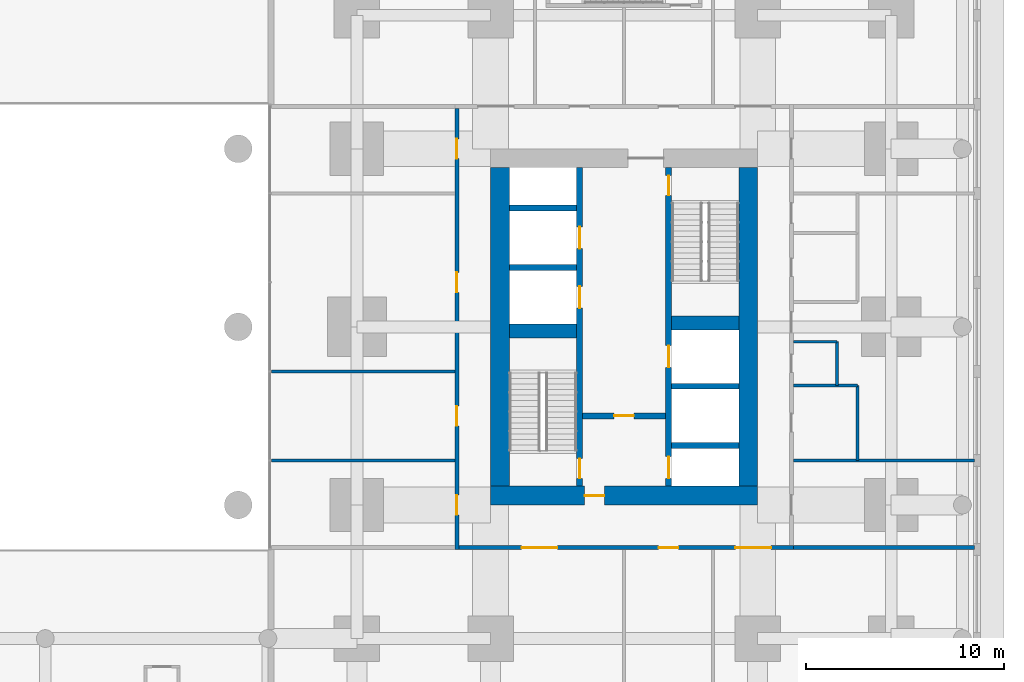
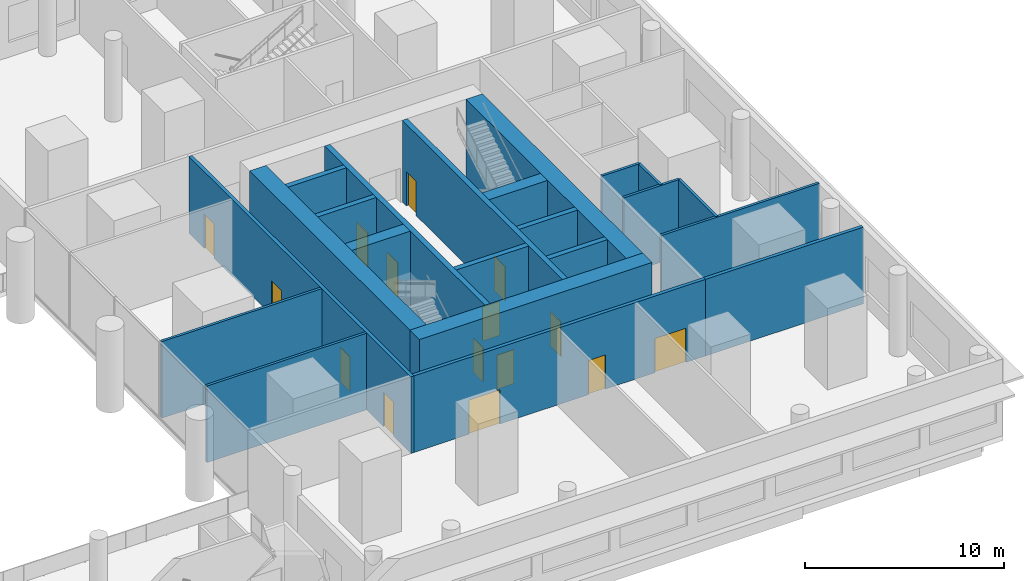
# One storey, part 15 of 22: 22 walls, 15 doors, 15 openings.
"""IFC4 building model written with IfcOpenShell, lengths in metres."""

from ifc_helpers import new_model, si_unit, direction, frame, frame_2d, origin, place, context, subcontext, project, spatial, rectangle, extrude, material, layer, layer_set, type_object, element, fill, save


model = new_model("IFC4")

# Units and contexts
model_context = context("Model", 3, precision=1e-05, world=origin(), true_north=direction((0.0, 1.0)))
body_context = subcontext(model_context, "Body", "Model", "MODEL_VIEW")
ifc_project = project(units=[si_unit("LENGTHUNIT", "METRE"), si_unit("AREAUNIT", "SQUARE_METRE"), si_unit("VOLUMEUNIT", "CUBIC_METRE"), si_unit("PLANEANGLEUNIT", "RADIAN"), si_unit("MASSUNIT", "GRAM", prefix="KILO")], contexts=[model_context])

# Site, building, storey
site_placement = place(None, origin())
site = spatial("IfcSite", under=ifc_project, at=site_placement, CompositionType="ELEMENT")
building_placement = place(site_placement, origin())
building = spatial("IfcBuilding", under=site, at=building_placement, Name="Namib Vertical Campus", CompositionType="ELEMENT")
storey_placement = place(building_placement, frame((0.0, 0.0, 11.0)))
storey = spatial("IfcBuildingStorey", under=building, at=storey_placement, Name="L02", CompositionType="ELEMENT", Elevation=11.0)

# Wall, openings, doors
ifc_material_1 = material(Name="Concrete C60/75", Category="concrete")
ifc_layer_1 = layer(ifc_material_1, 0.300048828125)
ifc_layer_set_1 = layer_set([ifc_layer_1], Name="Concrete C60/75")
wall_type_1 = type_object("IfcWallType", Name="Core inner wall 300", PredefinedType="SHEAR", material=ifc_layer_set_1)
wall_1_placement = place(storey_placement, frame((78.75, 12.199951171875, 0.0), z_axis=(0.0, 0.0, 1.0), x_axis=(0.0, 1.0, 0.0)))
wall_1 = element("IfcWall", 1, at=wall_1_placement, inside=storey, type_object=wall_type_1, Name="Core inner wall B L02 W1", PredefinedType="SHEAR", context=body_context, shape_type="SweptSolid", body=[
    extrude(rectangle(XDim=16.10009765625, YDim=0.300048828125, at=frame_2d((8.050048828125, 0.0))), origin(), (0.0, 0.0, 1.0), 5.0),
])
opening_1_placement = place(wall_1_placement, frame((0.39990234375, 0.0, 0.0)))
opening_1 = element("IfcOpeningElement", 2, at=opening_1_placement, cuts=wall_1, Name="Opening FD1", PredefinedType="OPENING", context=body_context, shape_type="SweptSolid", body=[
    extrude(rectangle(XDim=1.0, YDim=2.10009765625, at=frame_2d((0.5, 1.050048828125))), frame((0.0, 0.159912109375, 0.0), z_axis=(0.0, -1.0, 0.0), x_axis=(1.0, 0.0, 0.0)), (0.0, 0.0, 1.0), 0.320068359375),
])
opening_2_placement = place(wall_1_placement, frame((9.0, 0.0, 0.0)))
opening_2 = element("IfcOpeningElement", 3, at=opening_2_placement, cuts=wall_1, Name="Opening LD1", PredefinedType="OPENING", context=body_context, shape_type="SweptSolid", body=[
    extrude(rectangle(XDim=1.10009765625, YDim=2.10009765625, at=frame_2d((0.550048828125, 1.050048828125))), frame((0.0, 0.159912109375, 0.0), z_axis=(0.0, -1.0, 0.0), x_axis=(1.0, 0.0, 0.0)), (0.0, 0.0, 1.0), 0.320068359375),
])
opening_3_placement = place(wall_1_placement, frame((12.0, 0.0, 0.0)))
opening_3 = element("IfcOpeningElement", 4, at=opening_3_placement, cuts=wall_1, Name="Opening LD1", PredefinedType="OPENING", context=body_context, shape_type="SweptSolid", body=[
    extrude(rectangle(XDim=1.10009765625, YDim=2.10009765625, at=frame_2d((0.550048828125, 1.050048828125))), frame((0.0, 0.159912109375, 0.0), z_axis=(0.0, -1.0, 0.0), x_axis=(1.0, 0.0, 0.0)), (0.0, 0.0, 1.0), 0.320068359375),
])
ifc_material_2 = material(Name="Steel fire door", Category="steel")
door_type_1 = type_object("IfcDoorType", Name="Fire door 1000x2100", OperationType="SINGLE_SWING_RIGHT", PredefinedType="DOOR", material=ifc_material_2)
door_1_placement = place(opening_1_placement, origin())
door_1 = element("IfcDoor", 5, at=door_1_placement, inside=storey, type_object=door_type_1, Name="Stair door FD1 B L02 S1", OperationType="SINGLE_SWING_LEFT", OverallHeight=2.10009765625, OverallWidth=1.0, PredefinedType="DOOR", context=body_context, shape_type="SweptSolid", body=[
    extrude(rectangle(XDim=1.0, YDim=2.10009765625, at=frame_2d((0.5, 1.050048828125))), frame((0.0, 0.02490234375, 0.0), z_axis=(0.0, -1.0, 0.0), x_axis=(1.0, 0.0, 0.0)), (0.0, 0.0, 1.0), 0.050048828125),
])
fill(opening_1, door_1)
ifc_material_3 = material(Name="Stainless steel lift door", Category="steel")
door_type_2 = type_object("IfcDoorType", Name="Lift landing door 1100x2100", OperationType="DOUBLE_DOOR_SLIDING", PredefinedType="DOOR", material=ifc_material_3)
door_2_placement = place(opening_2_placement, origin())
door_2 = element("IfcDoor", 6, at=door_2_placement, inside=storey, type_object=door_type_2, Name="Lift landing door LD1 B-P1 L02", OperationType="DOUBLE_DOOR_SLIDING", OverallHeight=2.10009765625, OverallWidth=1.10009765625, PredefinedType="DOOR", context=body_context, shape_type="SweptSolid", body=[
    extrude(rectangle(XDim=1.10009765625, YDim=2.10009765625, at=frame_2d((0.550048828125, 1.050048828125))), frame((0.0, 0.02490234375, 0.0), z_axis=(0.0, -1.0, 0.0), x_axis=(1.0, 0.0, 0.0)), (0.0, 0.0, 1.0), 0.050048828125),
])
fill(opening_2, door_2)
door_3_placement = place(opening_3_placement, origin())
door_3 = element("IfcDoor", 7, at=door_3_placement, inside=storey, type_object=door_type_2, Name="Lift landing door LD1 B-P2 L02", OperationType="DOUBLE_DOOR_SLIDING", OverallHeight=2.10009765625, OverallWidth=1.10009765625, PredefinedType="DOOR", context=body_context, shape_type="SweptSolid", body=[
    extrude(rectangle(XDim=1.10009765625, YDim=2.10009765625, at=frame_2d((0.550048828125, 1.050048828125))), frame((0.0, 0.02490234375, 0.0), z_axis=(0.0, -1.0, 0.0), x_axis=(1.0, 0.0, 0.0)), (0.0, 0.0, 1.0), 0.050048828125),
])
fill(opening_3, door_3)

wall_2_placement = place(storey_placement, frame((83.25, 12.199951171875, 0.0), z_axis=(0.0, 0.0, 1.0), x_axis=(0.0, 1.0, 0.0)))
wall_2 = element("IfcWall", 8, at=wall_2_placement, inside=storey, type_object=wall_type_1, Name="Core inner wall B L02 W2", PredefinedType="SHEAR", context=body_context, shape_type="SweptSolid", body=[
    extrude(rectangle(XDim=16.10009765625, YDim=0.300048828125, at=frame_2d((8.050048828125, 0.0))), origin(), (0.0, 0.0, 1.0), 5.0),
])
opening_4_placement = place(wall_2_placement, frame((14.699951171875, 0.0, 0.0)))
opening_4 = element("IfcOpeningElement", 9, at=opening_4_placement, cuts=wall_2, Name="Opening FD1", PredefinedType="OPENING", context=body_context, shape_type="SweptSolid", body=[
    extrude(rectangle(XDim=1.0, YDim=2.10009765625, at=frame_2d((0.5, 1.050048828125))), frame((0.0, 0.159912109375, 0.0), z_axis=(0.0, -1.0, 0.0), x_axis=(1.0, 0.0, 0.0)), (0.0, 0.0, 1.0), 0.320068359375),
])
opening_5_placement = place(wall_2_placement, frame((0.39990234375, 0.0, 0.0)))
opening_5 = element("IfcOpeningElement", 10, at=opening_5_placement, cuts=wall_2, Name="Opening LD1", PredefinedType="OPENING", context=body_context, shape_type="SweptSolid", body=[
    extrude(rectangle(XDim=1.10009765625, YDim=2.10009765625, at=frame_2d((0.550048828125, 1.050048828125))), frame((0.0, 0.159912109375, 0.0), z_axis=(0.0, -1.0, 0.0), x_axis=(1.0, 0.0, 0.0)), (0.0, 0.0, 1.0), 0.320068359375),
])
opening_6_placement = place(wall_2_placement, frame((6.0, 0.0, 0.0)))
opening_6 = element("IfcOpeningElement", 11, at=opening_6_placement, cuts=wall_2, Name="Opening LD1", PredefinedType="OPENING", context=body_context, shape_type="SweptSolid", body=[
    extrude(rectangle(XDim=1.10009765625, YDim=2.10009765625, at=frame_2d((0.550048828125, 1.050048828125))), frame((0.0, 0.159912109375, 0.0), z_axis=(0.0, -1.0, 0.0), x_axis=(1.0, 0.0, 0.0)), (0.0, 0.0, 1.0), 0.320068359375),
])
door_4_placement = place(opening_4_placement, frame((1.0, 0.0, 0.0), z_axis=(0.0, 0.0, 1.0), x_axis=(-1.0, 0.0, 0.0)))
door_4 = element("IfcDoor", 12, at=door_4_placement, inside=storey, type_object=door_type_1, Name="Stair door FD1 B L02 S2", OperationType="SINGLE_SWING_LEFT", OverallHeight=2.10009765625, OverallWidth=1.0, PredefinedType="DOOR", context=body_context, shape_type="SweptSolid", body=[
    extrude(rectangle(XDim=1.0, YDim=2.10009765625, at=frame_2d((0.5, 1.050048828125))), frame((0.0, 0.02490234375, 0.0), z_axis=(0.0, -1.0, 0.0), x_axis=(1.0, 0.0, 0.0)), (0.0, 0.0, 1.0), 0.050048828125),
])
fill(opening_4, door_4)
door_5_placement = place(opening_5_placement, origin())
door_5 = element("IfcDoor", 13, at=door_5_placement, inside=storey, type_object=door_type_2, Name="Lift landing door LD1 B-FL1 L02", OperationType="DOUBLE_DOOR_SLIDING", OverallHeight=2.10009765625, OverallWidth=1.10009765625, PredefinedType="DOOR", context=body_context, shape_type="SweptSolid", body=[
    extrude(rectangle(XDim=1.10009765625, YDim=2.10009765625, at=frame_2d((0.550048828125, 1.050048828125))), frame((0.0, 0.02490234375, 0.0), z_axis=(0.0, -1.0, 0.0), x_axis=(1.0, 0.0, 0.0)), (0.0, 0.0, 1.0), 0.050048828125),
])
fill(opening_5, door_5)
door_6_placement = place(opening_6_placement, origin())
door_6 = element("IfcDoor", 14, at=door_6_placement, inside=storey, type_object=door_type_2, Name="Lift landing door LD1 B-P5 L02", OperationType="DOUBLE_DOOR_SLIDING", OverallHeight=2.10009765625, OverallWidth=1.10009765625, PredefinedType="DOOR", context=body_context, shape_type="SweptSolid", body=[
    extrude(rectangle(XDim=1.10009765625, YDim=2.10009765625, at=frame_2d((0.550048828125, 1.050048828125))), frame((0.0, 0.02490234375, 0.0), z_axis=(0.0, -1.0, 0.0), x_axis=(1.0, 0.0, 0.0)), (0.0, 0.0, 1.0), 0.050048828125),
])
fill(opening_6, door_6)

# Wall, opening, door
wall_3_placement = place(storey_placement, frame((78.89990234375, 15.75, 0.0), z_axis=(0.0, 0.0, 1.0), x_axis=(1.0, 0.0, 0.0)))
wall_3 = element("IfcWall", 15, at=wall_3_placement, inside=storey, type_object=wall_type_1, Name="Core inner wall B L02 W4", PredefinedType="SHEAR", context=body_context, shape_type="SweptSolid", body=[
    extrude(rectangle(XDim=4.2001953125, YDim=0.300048828125, at=frame_2d((2.10009765625, 0.0))), origin(), (0.0, 0.0, 1.0), 5.0),
])
opening_7_placement = place(wall_3_placement, frame((1.60009765625, 0.0, 0.0)))
opening_7 = element("IfcOpeningElement", 16, at=opening_7_placement, cuts=wall_3, Name="Opening FD5", PredefinedType="OPENING", context=body_context, shape_type="SweptSolid", body=[
    extrude(rectangle(XDim=1.0, YDim=2.10009765625, at=frame_2d((0.5, 1.050048828125))), frame((0.0, 0.159912109375, 0.0), z_axis=(0.0, -1.0, 0.0), x_axis=(1.0, 0.0, 0.0)), (0.0, 0.0, 1.0), 0.320068359375),
])
ifc_material_4 = material(Name="Steel fire door", Category="steel")
door_type_3 = type_object("IfcDoorType", Name="Fire door 1000x2100 120 min", OperationType="SINGLE_SWING_RIGHT", PredefinedType="DOOR", material=ifc_material_4)
door_7_placement = place(opening_7_placement, frame((1.0, 0.0, 0.0), z_axis=(0.0, 0.0, 1.0), x_axis=(-1.0, 0.0, 0.0)))
door_7 = element("IfcDoor", 17, at=door_7_placement, inside=storey, type_object=door_type_3, Name="Lobby door FD5 B L02", OperationType="SINGLE_SWING_RIGHT", OverallHeight=2.10009765625, OverallWidth=1.0, PredefinedType="DOOR", context=body_context, shape_type="SweptSolid", body=[
    extrude(rectangle(XDim=1.0, YDim=2.10009765625, at=frame_2d((0.5, 1.050048828125))), frame((0.0, 0.02490234375, 0.0), z_axis=(0.0, -1.0, 0.0), x_axis=(1.0, 0.0, 0.0)), (0.0, 0.0, 1.0), 0.050048828125),
])
fill(opening_7, door_7)

# Walls
for number, where, z_axis, x_axis, name in (
    (18, (83.39990234375, 14.25, 0.0), (0.0, 0.0, 1.0), (1.0, 0.0, 0.0), "Core inner wall B L02 W5"),
    (19, (83.39990234375, 17.25, 0.0), (0.0, 0.0, 1.0), (1.0, 0.0, 0.0), "Core inner wall B L02 W6"),
    (20, (75.199951171875, 23.25, 0.0), (0.0, 0.0, 1.0), (1.0, 0.0, 0.0), "Core inner wall B L02 W8"),
    (21, (75.199951171875, 26.25, 0.0), (0.0, 0.0, 1.0), (1.0, 0.0, 0.0), "Core inner wall B L02 W9"),
):
    element("IfcWall", number, at=place(storey_placement, frame(where, z_axis=z_axis, x_axis=x_axis)), inside=storey, type_object=wall_type_1, Name=name, PredefinedType="SHEAR", context=body_context, shape_type="SweptSolid", body=[
        extrude(rectangle(XDim=3.400146484375, YDim=0.300048828125, at=frame_2d((1.7001953125, 0.0))), origin(), (0.0, 0.0, 1.0), 5.0),
    ])
ifc_material_5 = material(Name="Concrete C60/75", Category="concrete")
ifc_layer_2 = layer(ifc_material_5, 0.699951171875)
ifc_layer_set_2 = layer_set([ifc_layer_2], Name="Concrete C60/75")
wall_type_2 = type_object("IfcWallType", Name="Core shear wall 700", PredefinedType="SHEAR", material=ifc_layer_set_2)
for number, where, z_axis, x_axis, name in (
    (22, (75.199951171875, 20.050048828125, 0.0), (0.0, 0.0, 1.0), (1.0, 0.0, 0.0), "Core shear wall B L02 W3"),
    (23, (83.39990234375, 20.449951171875, 0.0), (0.0, 0.0, 1.0), (1.0, 0.0, 0.0), "Core shear wall B L02 W7"),
):
    element("IfcWall", number, at=place(storey_placement, frame(where, z_axis=z_axis, x_axis=x_axis)), inside=storey, type_object=wall_type_2, Name=name, PredefinedType="SHEAR", context=body_context, shape_type="SweptSolid", body=[
        extrude(rectangle(XDim=3.400146484375, YDim=0.699951171875, at=frame_2d((1.7001953125, 0.0))), origin(), (0.0, 0.0, 1.0), 5.0),
    ])

# Wall, opening, door
ifc_material_6 = material(Name="Concrete C60/75", Category="concrete")
ifc_layer_3 = layer(ifc_material_6, 0.949951171875)
ifc_layer_set_3 = layer_set([ifc_layer_3], Name="Concrete C60/75")
wall_type_3 = type_object("IfcWallType", Name="Core wall 950", PredefinedType="SHEAR", material=ifc_layer_set_3)
wall_4_placement = place(storey_placement, frame((74.25, 11.72509765625, 0.0), z_axis=(0.0, 0.0, 1.0), x_axis=(1.0, 0.0, 0.0)))
wall_4 = element("IfcWall", 24, at=wall_4_placement, inside=storey, type_object=wall_type_3, Name="Core wall B L02 1", PredefinedType="SHEAR", context=body_context, shape_type="SweptSolid", body=[
    extrude(rectangle(XDim=13.5, YDim=0.949951171875, at=frame_2d((6.75, 0.0))), origin(), (0.0, 0.0, 1.0), 5.0),
])
opening_8_placement = place(wall_4_placement, frame((4.75, 0.0, 0.0)))
opening_8 = element("IfcOpeningElement", 25, at=opening_8_placement, cuts=wall_4, Name="Opening FD5", PredefinedType="OPENING", context=body_context, shape_type="SweptSolid", body=[
    extrude(rectangle(XDim=1.0, YDim=2.10009765625, at=frame_2d((0.5, 1.050048828125))), frame((0.0, 0.48486328125, 0.0), z_axis=(0.0, -1.0, 0.0), x_axis=(1.0, 0.0, 0.0)), (0.0, 0.0, 1.0), 0.969970703125),
])
door_8_placement = place(opening_8_placement, origin())
door_8 = element("IfcDoor", 26, at=door_8_placement, inside=storey, type_object=door_type_3, Name="Firefighting lobby door FD5 B L02", OperationType="SINGLE_SWING_LEFT", OverallHeight=2.10009765625, OverallWidth=1.0, PredefinedType="DOOR", context=body_context, shape_type="SweptSolid", body=[
    extrude(rectangle(XDim=1.0, YDim=2.10009765625, at=frame_2d((0.5, 1.050048828125))), frame((0.0, 0.02490234375, 0.0), z_axis=(0.0, -1.0, 0.0), x_axis=(1.0, 0.0, 0.0)), (0.0, 0.0, 1.0), 0.050048828125),
])
fill(opening_8, door_8)

# Walls
for number, where, z_axis, x_axis, name in (
    (27, (87.27490234375, 12.199951171875, 0.0), (0.0, 0.0, 1.0), (0.0, 1.0, 0.0), "Core wall B L02 2"),
    (28, (74.72509765625, 28.300048828125, 0.0), (0.0, 0.0, 1.0), (0.0, -1.0, 0.0), "Core wall B L02 4"),
):
    element("IfcWall", number, at=place(storey_placement, frame(where, z_axis=z_axis, x_axis=x_axis)), inside=storey, type_object=wall_type_3, Name=name, PredefinedType="SHEAR", context=body_context, shape_type="SweptSolid", body=[
        extrude(rectangle(XDim=16.10009765625, YDim=0.949951171875, at=frame_2d((8.050048828125, 0.0))), origin(), (0.0, 0.0, 1.0), 5.0),
    ])

# Wall, openings, doors
ifc_material_7 = material(Name="Concrete masonry", Category="masonry")
ifc_layer_4 = layer(ifc_material_7, 0.199951171875)
ifc_layer_set_4 = layer_set([ifc_layer_4], Name="Corridor wall 200")
wall_type_4 = type_object("IfcWallType", Name="Corridor wall 200", PredefinedType="SOLIDWALL", material=ifc_layer_set_4)
wall_5_placement = place(storey_placement, frame((72.64990234375, 9.10009765625, 0.0), z_axis=(0.0, 0.0, 1.0), x_axis=(1.0, 0.0, 0.0)))
wall_5 = element("IfcWall", 29, at=wall_5_placement, inside=storey, type_object=wall_type_4, Name="Corridor wall B L02 CS", PredefinedType="SOLIDWALL", context=body_context, shape_type="SweptSolid", body=[
    extrude(rectangle(XDim=16.900146484375, YDim=0.199951171875, at=frame_2d((8.4501953125, 0.0))), origin(), (0.0, 0.0, 1.0), 4.699951171875),
])
opening_9_placement = place(wall_5_placement, frame((3.175048828125, 0.0, 0.0)))
opening_9 = element("IfcOpeningElement", 30, at=opening_9_placement, cuts=wall_5, Name="Opening CD2", PredefinedType="OPENING", context=body_context, shape_type="SweptSolid", body=[
    extrude(rectangle(XDim=1.800048828125, YDim=2.10009765625, at=frame_2d((0.89990234375, 1.050048828125))), frame((0.0, 0.10986328125, 0.0), z_axis=(0.0, -1.0, 0.0), x_axis=(1.0, 0.0, 0.0)), (0.0, 0.0, 1.0), 0.219970703125),
])
opening_10_placement = place(wall_5_placement, frame((10.10009765625, 0.0, 0.0)))
opening_10 = element("IfcOpeningElement", 31, at=opening_10_placement, cuts=wall_5, Name="Opening CD1", PredefinedType="OPENING", context=body_context, shape_type="SweptSolid", body=[
    extrude(rectangle(XDim=1.0, YDim=2.10009765625, at=frame_2d((0.5, 1.050048828125))), frame((0.0, 0.10986328125, 0.0), z_axis=(0.0, -1.0, 0.0), x_axis=(1.0, 0.0, 0.0)), (0.0, 0.0, 1.0), 0.219970703125),
])
opening_11_placement = place(wall_5_placement, frame((13.97509765625, 0.0, 0.0)))
opening_11 = element("IfcOpeningElement", 32, at=opening_11_placement, cuts=wall_5, Name="Opening CD2", PredefinedType="OPENING", context=body_context, shape_type="SweptSolid", body=[
    extrude(rectangle(XDim=1.800048828125, YDim=2.10009765625, at=frame_2d((0.89990234375, 1.050048828125))), frame((0.0, 0.10986328125, 0.0), z_axis=(0.0, -1.0, 0.0), x_axis=(1.0, 0.0, 0.0)), (0.0, 0.0, 1.0), 0.219970703125),
])
ifc_material_8 = material(Name="Timber fire door leaf", Category="wood")
door_type_4 = type_object("IfcDoorType", Name="Corridor door 1000x2100 20 min", OperationType="SINGLE_SWING_LEFT", PredefinedType="DOOR", material=ifc_material_8)
door_9_placement = place(opening_10_placement, frame((1.0, 0.0, 0.0), z_axis=(0.0, 0.0, 1.0), x_axis=(-1.0, 0.0, 0.0)))
door_9 = element("IfcDoor", 33, at=door_9_placement, inside=storey, type_object=door_type_4, Name="Door CD1 B02-02", OperationType="SINGLE_SWING_RIGHT", OverallHeight=2.10009765625, OverallWidth=1.0, PredefinedType="DOOR", context=body_context, shape_type="SweptSolid", body=[
    extrude(rectangle(XDim=1.0, YDim=2.10009765625, at=frame_2d((0.5, 1.050048828125))), frame((0.0, 0.02490234375, 0.0), z_axis=(0.0, -1.0, 0.0), x_axis=(1.0, 0.0, 0.0)), (0.0, 0.0, 1.0), 0.050048828125),
])
fill(opening_10, door_9)
ifc_material_9 = material(Name="Timber fire door leaf", Category="wood")
door_type_5 = type_object("IfcDoorType", Name="Corridor door double 1800x2100 20 min", OperationType="DOUBLE_DOOR_SINGLE_SWING", PredefinedType="DOOR", material=ifc_material_9)
door_10_placement = place(opening_9_placement, origin())
door_10 = element("IfcDoor", 34, at=door_10_placement, inside=storey, type_object=door_type_5, Name="Door CD2 B02-01", OperationType="DOUBLE_DOOR_SINGLE_SWING", OverallHeight=2.10009765625, OverallWidth=1.800048828125, PredefinedType="DOOR", context=body_context, shape_type="SweptSolid", body=[
    extrude(rectangle(XDim=1.800048828125, YDim=2.10009765625, at=frame_2d((0.89990234375, 1.050048828125))), frame((0.0, 0.02490234375, 0.0), z_axis=(0.0, -1.0, 0.0), x_axis=(1.0, 0.0, 0.0)), (0.0, 0.0, 1.0), 0.050048828125),
])
fill(opening_9, door_10)
door_11_placement = place(opening_11_placement, frame((1.800048828125, 0.0, 0.0), z_axis=(0.0, 0.0, 1.0), x_axis=(-1.0, 0.0, 0.0)))
door_11 = element("IfcDoor", 35, at=door_11_placement, inside=storey, type_object=door_type_5, Name="Door CD2 B02-03", OperationType="DOUBLE_DOOR_SINGLE_SWING", OverallHeight=2.10009765625, OverallWidth=1.800048828125, PredefinedType="DOOR", context=body_context, shape_type="SweptSolid", body=[
    extrude(rectangle(XDim=1.800048828125, YDim=2.10009765625, at=frame_2d((0.89990234375, 1.050048828125))), frame((0.0, 0.02490234375, 0.0), z_axis=(0.0, -1.0, 0.0), x_axis=(1.0, 0.0, 0.0)), (0.0, 0.0, 1.0), 0.050048828125),
])
fill(opening_11, door_11)

wall_6_placement = place(storey_placement, frame((72.550048828125, 31.300048828125, 0.0), z_axis=(0.0, 0.0, 1.0), x_axis=(0.0, -1.0, 0.0)))
wall_6 = element("IfcWall", 36, at=wall_6_placement, inside=storey, type_object=wall_type_4, Name="Corridor wall B L02 CW", PredefinedType="SOLIDWALL", context=body_context, shape_type="SweptSolid", body=[
    extrude(rectangle(XDim=22.300048828125, YDim=0.199951171875, at=frame_2d((11.14990234375, 0.0))), origin(), (0.0, 0.0, 1.0), 4.699951171875),
])
opening_12_placement = place(wall_6_placement, frame((19.550048828125, 0.0, 0.0)))
opening_12 = element("IfcOpeningElement", 37, at=opening_12_placement, cuts=wall_6, Name="Opening CD1", PredefinedType="OPENING", context=body_context, shape_type="SweptSolid", body=[
    extrude(rectangle(XDim=1.0, YDim=2.10009765625, at=frame_2d((0.5, 1.050048828125))), frame((0.0, 0.10986328125, 0.0), z_axis=(0.0, -1.0, 0.0), x_axis=(1.0, 0.0, 0.0)), (0.0, 0.0, 1.0), 0.219970703125),
])
opening_13_placement = place(wall_6_placement, frame((15.050048828125, 0.0, 0.0)))
opening_13 = element("IfcOpeningElement", 38, at=opening_13_placement, cuts=wall_6, Name="Opening CD1", PredefinedType="OPENING", context=body_context, shape_type="SweptSolid", body=[
    extrude(rectangle(XDim=1.0, YDim=2.10009765625, at=frame_2d((0.5, 1.050048828125))), frame((0.0, 0.10986328125, 0.0), z_axis=(0.0, -1.0, 0.0), x_axis=(1.0, 0.0, 0.0)), (0.0, 0.0, 1.0), 0.219970703125),
])
opening_14_placement = place(wall_6_placement, frame((8.300048828125, 0.0, 0.0)))
opening_14 = element("IfcOpeningElement", 39, at=opening_14_placement, cuts=wall_6, Name="Opening CD1", PredefinedType="OPENING", context=body_context, shape_type="SweptSolid", body=[
    extrude(rectangle(XDim=1.0, YDim=2.10009765625, at=frame_2d((0.5, 1.050048828125))), frame((0.0, 0.10986328125, 0.0), z_axis=(0.0, -1.0, 0.0), x_axis=(1.0, 0.0, 0.0)), (0.0, 0.0, 1.0), 0.219970703125),
])
opening_15_placement = place(wall_6_placement, frame((1.550048828125, 0.0, 0.0)))
opening_15 = element("IfcOpeningElement", 40, at=opening_15_placement, cuts=wall_6, Name="Opening CD1", PredefinedType="OPENING", context=body_context, shape_type="SweptSolid", body=[
    extrude(rectangle(XDim=1.0, YDim=2.10009765625, at=frame_2d((0.5, 1.050048828125))), frame((0.0, 0.10986328125, 0.0), z_axis=(0.0, -1.0, 0.0), x_axis=(1.0, 0.0, 0.0)), (0.0, 0.0, 1.0), 0.219970703125),
])
door_12_placement = place(opening_12_placement, frame((1.0, 0.0, 0.0), z_axis=(0.0, 0.0, 1.0), x_axis=(-1.0, 0.0, 0.0)))
door_12 = element("IfcDoor", 41, at=door_12_placement, inside=storey, type_object=door_type_4, Name="Door CD1 B02-14", OperationType="SINGLE_SWING_RIGHT", OverallHeight=2.10009765625, OverallWidth=1.0, PredefinedType="DOOR", context=body_context, shape_type="SweptSolid", body=[
    extrude(rectangle(XDim=1.0, YDim=2.10009765625, at=frame_2d((0.5, 1.050048828125))), frame((0.0, 0.02490234375, 0.0), z_axis=(0.0, -1.0, 0.0), x_axis=(1.0, 0.0, 0.0)), (0.0, 0.0, 1.0), 0.050048828125),
])
fill(opening_12, door_12)
door_13_placement = place(opening_13_placement, frame((1.0, 0.0, 0.0), z_axis=(0.0, 0.0, 1.0), x_axis=(-1.0, 0.0, 0.0)))
door_13 = element("IfcDoor", 42, at=door_13_placement, inside=storey, type_object=door_type_4, Name="Door CD1 B02-15", OperationType="SINGLE_SWING_RIGHT", OverallHeight=2.10009765625, OverallWidth=1.0, PredefinedType="DOOR", context=body_context, shape_type="SweptSolid", body=[
    extrude(rectangle(XDim=1.0, YDim=2.10009765625, at=frame_2d((0.5, 1.050048828125))), frame((0.0, 0.02490234375, 0.0), z_axis=(0.0, -1.0, 0.0), x_axis=(1.0, 0.0, 0.0)), (0.0, 0.0, 1.0), 0.050048828125),
])
fill(opening_13, door_13)
door_14_placement = place(opening_14_placement, frame((1.0, 0.0, 0.0), z_axis=(0.0, 0.0, 1.0), x_axis=(-1.0, 0.0, 0.0)))
door_14 = element("IfcDoor", 43, at=door_14_placement, inside=storey, type_object=door_type_4, Name="Door CD1 B02-16", OperationType="SINGLE_SWING_RIGHT", OverallHeight=2.10009765625, OverallWidth=1.0, PredefinedType="DOOR", context=body_context, shape_type="SweptSolid", body=[
    extrude(rectangle(XDim=1.0, YDim=2.10009765625, at=frame_2d((0.5, 1.050048828125))), frame((0.0, 0.02490234375, 0.0), z_axis=(0.0, -1.0, 0.0), x_axis=(1.0, 0.0, 0.0)), (0.0, 0.0, 1.0), 0.050048828125),
])
fill(opening_14, door_14)
door_15_placement = place(opening_15_placement, frame((1.0, 0.0, 0.0), z_axis=(0.0, 0.0, 1.0), x_axis=(-1.0, 0.0, 0.0)))
door_15 = element("IfcDoor", 44, at=door_15_placement, inside=storey, type_object=door_type_4, Name="Door CD1 B02-17", OperationType="SINGLE_SWING_RIGHT", OverallHeight=2.10009765625, OverallWidth=1.0, PredefinedType="DOOR", context=body_context, shape_type="SweptSolid", body=[
    extrude(rectangle(XDim=1.0, YDim=2.10009765625, at=frame_2d((0.5, 1.050048828125))), frame((0.0, 0.02490234375, 0.0), z_axis=(0.0, -1.0, 0.0), x_axis=(1.0, 0.0, 0.0)), (0.0, 0.0, 1.0), 0.050048828125),
])
fill(opening_15, door_15)

# Walls
wall_7_placement = place(storey_placement, frame((89.550048828125, 9.10009765625, 0.0), z_axis=(0.0, 0.0, 1.0), x_axis=(1.0, 0.0, 0.0)))
element("IfcWall", 45, at=wall_7_placement, inside=storey, type_object=wall_type_4, Name="Partition B L02 BSE", PredefinedType="SOLIDWALL", context=body_context, shape_type="SweptSolid", body=[
    extrude(rectangle(XDim=9.14990234375, YDim=0.199951171875, at=frame_2d((4.574951171875, 0.0))), origin(), (0.0, 0.0, 1.0), 4.699951171875),
])
ifc_material_10 = material(Name="Gypsum board on steel studs", Category="steel")
ifc_layer_5 = layer(ifc_material_10, 0.14990234375)
ifc_layer_set_5 = layer_set([ifc_layer_5], Name="Gypsum board on steel studs")
wall_type_5 = type_object("IfcWallType", Name="Partition 150", PredefinedType="PARTITIONING", material=ifc_layer_set_5)
wall_8_placement = place(storey_placement, frame((89.550048828125, 13.5, 0.0), z_axis=(0.0, 0.0, 1.0), x_axis=(1.0, 0.0, 0.0)))
element("IfcWall", 46, at=wall_8_placement, inside=storey, type_object=wall_type_5, Name="Partition B L02 PE1", PredefinedType="PARTITIONING", context=body_context, shape_type="SweptSolid", body=[
    extrude(rectangle(XDim=9.14990234375, YDim=0.14990234375, at=frame_2d((4.574951171875, 0.0))), origin(), (0.0, 0.0, 1.0), 4.699951171875),
])
for number, where, z_axis, x_axis, name in (
    (47, (63.179931640625, 13.5, 0.0), (0.0, 0.0, 1.0), (1.0, 0.0, 0.0), "Partition B L02 PW1"),
    (48, (63.179931640625, 18.0, 0.0), (0.0, 0.0, 1.0), (1.0, 0.0, 0.0), "Partition B L02 PW2"),
):
    element("IfcWall", number, at=place(storey_placement, frame(where, z_axis=z_axis, x_axis=x_axis)), inside=storey, type_object=wall_type_5, Name=name, PredefinedType="PARTITIONING", context=body_context, shape_type="SweptSolid", body=[
        extrude(rectangle(XDim=9.27001953125, YDim=0.14990234375, at=frame_2d((4.635009765625, 0.0))), origin(), (0.0, 0.0, 1.0), 4.699951171875),
    ])
wall_9_placement = place(storey_placement, frame((89.550048828125, 17.300048828125, 0.0), z_axis=(0.0, 0.0, 1.0), x_axis=(1.0, 0.0, 0.0)))
element("IfcWall", 49, at=wall_9_placement, inside=storey, type_object=wall_type_5, Name="Partition B L02 WR1", PredefinedType="PARTITIONING", context=body_context, shape_type="SweptSolid", body=[
    extrude(rectangle(XDim=3.25, YDim=0.14990234375, at=frame_2d((1.625, 0.0))), origin(), (0.0, 0.0, 1.0), 4.699951171875),
])
wall_10_placement = place(storey_placement, frame((89.550048828125, 19.5, 0.0), z_axis=(0.0, 0.0, 1.0), x_axis=(1.0, 0.0, 0.0)))
element("IfcWall", 50, at=wall_10_placement, inside=storey, type_object=wall_type_5, Name="Partition B L02 WR2", PredefinedType="PARTITIONING", context=body_context, shape_type="SweptSolid", body=[
    extrude(rectangle(XDim=2.199951171875, YDim=0.14990234375, at=frame_2d((1.10009765625, 0.0))), origin(), (0.0, 0.0, 1.0), 4.699951171875),
])
wall_11_placement = place(storey_placement, frame((92.800048828125, 13.5, 0.0), z_axis=(0.0, 0.0, 1.0), x_axis=(0.0, 1.0, 0.0)))
element("IfcWall", 51, at=wall_11_placement, inside=storey, type_object=wall_type_5, Name="Partition B L02 WB1", PredefinedType="PARTITIONING", context=body_context, shape_type="SweptSolid", body=[
    extrude(rectangle(XDim=3.800048828125, YDim=0.14990234375, at=frame_2d((1.89990234375, 0.0))), origin(), (0.0, 0.0, 1.0), 4.699951171875),
])
wall_12_placement = place(storey_placement, frame((91.75, 17.300048828125, 0.0), z_axis=(0.0, 0.0, 1.0), x_axis=(0.0, 1.0, 0.0)))
element("IfcWall", 52, at=wall_12_placement, inside=storey, type_object=wall_type_5, Name="Partition B L02 WB2", PredefinedType="PARTITIONING", context=body_context, shape_type="SweptSolid", body=[
    extrude(rectangle(XDim=2.199951171875, YDim=0.14990234375, at=frame_2d((1.10009765625, 0.0))), origin(), (0.0, 0.0, 1.0), 4.699951171875),
])

save(model, "model.ifc")
